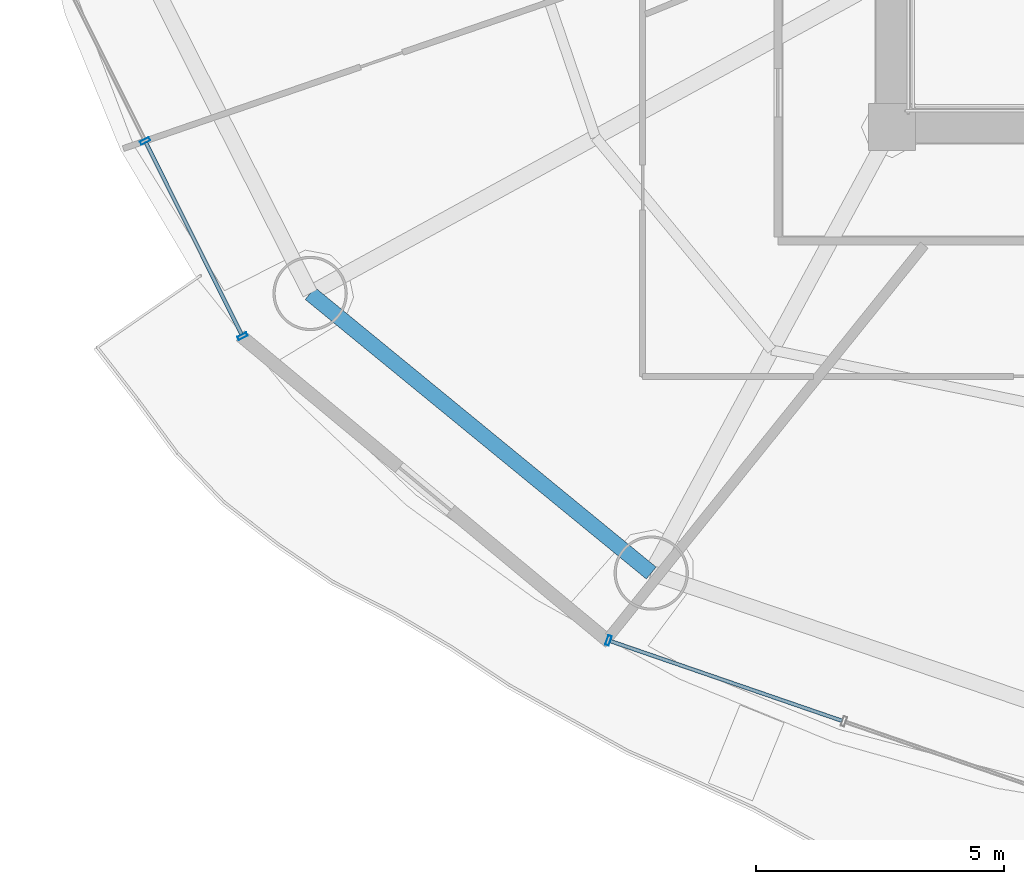
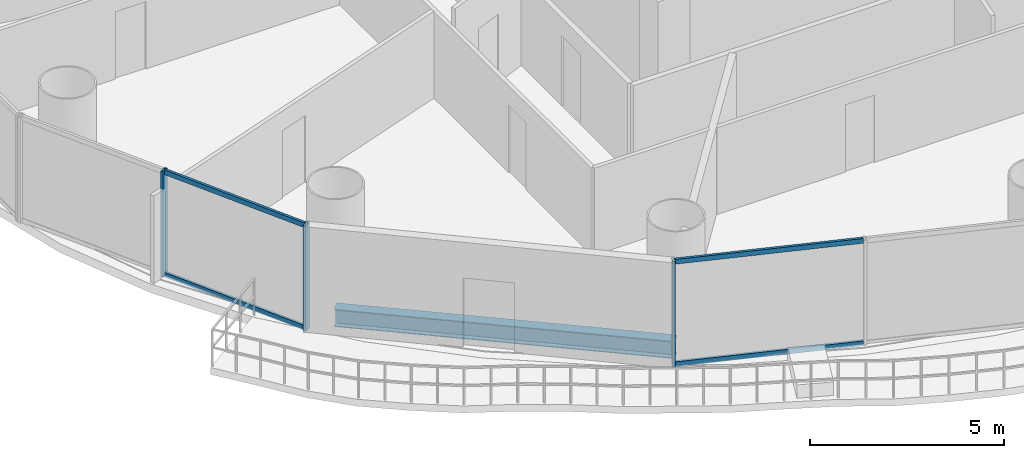
# One storey, part 2 of 29: 7 members, 1 beam, 2 elements without a shape of their own.
"""IFC4 building model written with IfcOpenShell, lengths in metres."""

from ifc_helpers import new_model, si_unit, direction, frame, origin, origin_2d, place, context, subcontext, project, spatial, hollow_rectangle, i_section, extrude, source, transform, mapped, material, material_profile, profile_set, type_object, element, aggregate, save


model = new_model("IFC4")

# Units and contexts
model_context = context("Model", 3, precision=1e-05, world=origin(), true_north=direction((-0.2419218956, 0.970295726276)))
body_context = subcontext(model_context, "Body", "Model", "MODEL_VIEW")
ifc_project = project(units=[si_unit("LENGTHUNIT", "METRE"), si_unit("AREAUNIT", "SQUARE_METRE"), si_unit("VOLUMEUNIT", "CUBIC_METRE"), si_unit("PLANEANGLEUNIT", "RADIAN"), si_unit("MASSUNIT", "GRAM", prefix="KILO")], contexts=[model_context])

# Site, building, storey
site_placement = place(None, origin())
site = spatial("IfcSite", under=ifc_project, at=site_placement, CompositionType="ELEMENT")
building_placement = place(site_placement, origin())
building = spatial("IfcBuilding", under=site, at=building_placement, Name="Cobrevalo Terracotta Tower", CompositionType="ELEMENT")
storey_placement = place(building_placement, frame((0.0, 0.0, 119.39990234375)))
storey = spatial("IfcBuildingStorey", under=building, at=storey_placement, Name="L31", CompositionType="ELEMENT", Elevation=119.39990234375)

# Beam
ifc_material_1 = material(Name="Steel S355", Category="steel")
ifc_material_profile_1 = material_profile(ifc_material_1, i_section(OverallWidth=0.31201171875, OverallDepth=0.54296875, WebThickness=0.0126953125, FlangeThickness=0.020263671875, at=origin_2d()), Name="W 530x150")
ifc_profile_set_1 = profile_set([ifc_material_profile_1], Name="Steel S355")
beam_type = type_object("IfcBeamType", Name="Structural Spandrel W 530x150 (Steel S355)", PredefinedType="SPANDREL", material=ifc_profile_set_1)
beam_placement = place(storey_placement, frame((17.2548828125, 15.4384765625, -0.54638671875), z_axis=(0.773400923541, -0.633917196064, 0.0), x_axis=(0.633917196064, 0.773400923541, 0.0)))
element("IfcBeam", 1, at=beam_placement, inside=storey, type_object=beam_type, Name="L31 perimeter ring spandrel 10", PredefinedType="SPANDREL", context=body_context, shape_type="SweptSolid", body=[
    extrude(i_section(OverallWidth=0.31201171875, OverallDepth=0.54296875, WebThickness=0.0126953125, FlangeThickness=0.020263671875, at=origin_2d()), origin(), (0.0, 0.0, 1.0), 8.900390625),
])

# Curtain wall, members
ifc_material_2 = material(Name="Anodized aluminium", Category="aluminium")
curtain_wall_type = type_object("IfcCurtainWallType", Name="Lower-tower unitised acoustic low-E curtain wall CW-U1", PredefinedType="NOTDEFINED", material=ifc_material_2)
curtain_wall_1_placement = place(storey_placement, origin())
curtain_wall_1 = element("IfcCurtainWall", 2, at=curtain_wall_1_placement, inside=storey, type_object=curtain_wall_type, Name="L31 curtain wall CW-L31-S11", PredefinedType="NOTDEFINED")
ifc_material_profile_2 = material_profile(ifc_material_2, hollow_rectangle(XDim=0.074951171875, YDim=0.14990234375, WallThickness=0.00439453125, at=origin_2d()), Name="CWT 75x150")
ifc_profile_set_2 = profile_set([ifc_material_profile_2], Name="Anodized aluminium")
member_type_1 = type_object("IfcMemberType", Name="Tower unitised aluminium transom 75x150", PredefinedType="USERDEFINED", material=ifc_profile_set_2)
shared_shape_1 = source(origin(), body_context, "Body", "SweptSolid", [
    extrude(hollow_rectangle(XDim=0.074951171875, YDim=0.14990234375, WallThickness=0.00439453125, at=origin_2d()), origin(), (0.0, 0.0, 1.0), 4.944580078125),
])
member_1_placement = place(storey_placement, frame((23.314208984375, 8.42333984375, 0.050048828125), z_axis=(0.945597859971, -0.32533780478, 0.0), x_axis=(0.32533780478, 0.945597859971, 0.0)))
member_1 = element("IfcMember", 3, at=member_1_placement, type_object=member_type_1, Name="CW-L31-S11 transom B01-T1", ObjectType="TRANSOM", PredefinedType="USERDEFINED", context=body_context, shape_type="MappedRepresentation", body=[
    mapped(shared_shape_1, transform((0.0, 0.0, 0.0), scale=1.0)),
])
member_2_placement = place(storey_placement, frame((23.314208984375, 8.42333984375, 3.275146484375), z_axis=(0.945597859971, -0.32533780478, 0.0), x_axis=(0.32533780478, 0.945597859971, 0.0)))
member_2 = element("IfcMember", 4, at=member_2_placement, type_object=member_type_1, Name="CW-L31-S11 transom B01-T2", ObjectType="TRANSOM", PredefinedType="USERDEFINED", context=body_context, shape_type="MappedRepresentation", body=[
    mapped(shared_shape_1, transform((0.0, 0.0, 0.0), scale=1.0)),
])

curtain_wall_2_placement = place(storey_placement, origin())
curtain_wall_2 = element("IfcCurtainWall", 5, at=curtain_wall_2_placement, inside=storey, type_object=curtain_wall_type, Name="L31 curtain wall CW-L31-S09", PredefinedType="NOTDEFINED")
shared_shape_2 = source(origin(), body_context, "Body", "SweptSolid", [
    extrude(hollow_rectangle(XDim=0.074951171875, YDim=0.14990234375, WallThickness=0.00439453125, at=origin_2d()), origin(), (0.0, 0.0, 1.0), 4.324951171875),
])
member_3_placement = place(storey_placement, frame((13.942138671875, 18.480712890625, 0.050048828125), z_axis=(0.446219838389, -0.894923379864, 0.0), x_axis=(0.894923379864, 0.446219838389, 0.0)))
member_3 = element("IfcMember", 6, at=member_3_placement, type_object=member_type_1, Name="CW-L31-S09 transom B02-T1", ObjectType="TRANSOM", PredefinedType="USERDEFINED", context=body_context, shape_type="MappedRepresentation", body=[
    mapped(shared_shape_2, transform((0.0, 0.0, 0.0), scale=1.0)),
])
member_4_placement = place(storey_placement, frame((13.942138671875, 18.480712890625, 3.275146484375), z_axis=(0.446219838389, -0.894923379864, 0.0), x_axis=(0.894923379864, 0.446219838389, 0.0)))
member_4 = element("IfcMember", 7, at=member_4_placement, type_object=member_type_1, Name="CW-L31-S09 transom B02-T2", ObjectType="TRANSOM", PredefinedType="USERDEFINED", context=body_context, shape_type="MappedRepresentation", body=[
    mapped(shared_shape_2, transform((0.0, 0.0, 0.0), scale=1.0)),
])
ifc_material_profile_3 = material_profile(ifc_material_2, hollow_rectangle(XDim=0.074951171875, YDim=0.199951171875, WallThickness=0.0048828125, at=origin_2d()), Name="CWM 75x200")
ifc_profile_set_3 = profile_set([ifc_material_profile_3], Name="Anodized aluminium")
member_type_2 = type_object("IfcMemberType", Name="Lower/mid tower unitised mullion 75x200", PredefinedType="MULLION", material=ifc_profile_set_3)
shared_shape_3 = source(origin(), body_context, "Body", "SweptSolid", [
    extrude(hollow_rectangle(XDim=0.074951171875, YDim=0.199951171875, WallThickness=0.0048828125, at=origin_2d()), origin(), (0.0, 0.0, 1.0), 3.3251953125),
])
member_5_placement = place(storey_placement, frame((13.924072265625, 18.516357421875, 0.0), z_axis=(0.0, 0.0, 1.0), x_axis=(0.446260290227, -0.894903208937, 0.0)))
member_5 = element("IfcMember", 8, at=member_5_placement, type_object=member_type_2, Name="CW-L31-S09 vertical mullion 02", PredefinedType="MULLION", context=body_context, shape_type="MappedRepresentation", body=[
    mapped(shared_shape_3, transform((0.0, 0.0, 0.0), scale=1.0)),
])
member_6_placement = place(storey_placement, frame((15.889892578125, 14.574462890625, 0.0), z_axis=(0.0, 0.0, 1.0), x_axis=(0.446260290227, -0.894903208937, 0.0)))
member_6 = element("IfcMember", 9, at=member_6_placement, type_object=member_type_2, Name="CW-L31-S09 vertical mullion 03", PredefinedType="MULLION", context=body_context, shape_type="MappedRepresentation", body=[
    mapped(shared_shape_3, transform((0.0, 0.0, 0.0), scale=1.0)),
])
aggregate(curtain_wall_2, [member_5, member_6, member_3, member_4])

# Member
member_7_placement = place(storey_placement, frame((23.2763671875, 8.4365234375, 0.0), z_axis=(0.0, 0.0, 1.0), x_axis=(0.94559809868, -0.325337110968, 0.0)))
member_7 = element("IfcMember", 10, at=member_7_placement, type_object=member_type_2, Name="CW-L31-S11 vertical mullion 01", PredefinedType="MULLION", context=body_context, shape_type="MappedRepresentation", body=[
    mapped(shared_shape_3, transform((0.0, 0.0, 0.0), scale=1.0)),
])

aggregate(curtain_wall_1, [member_7, member_1, member_2])

save(model, "model.ifc")
